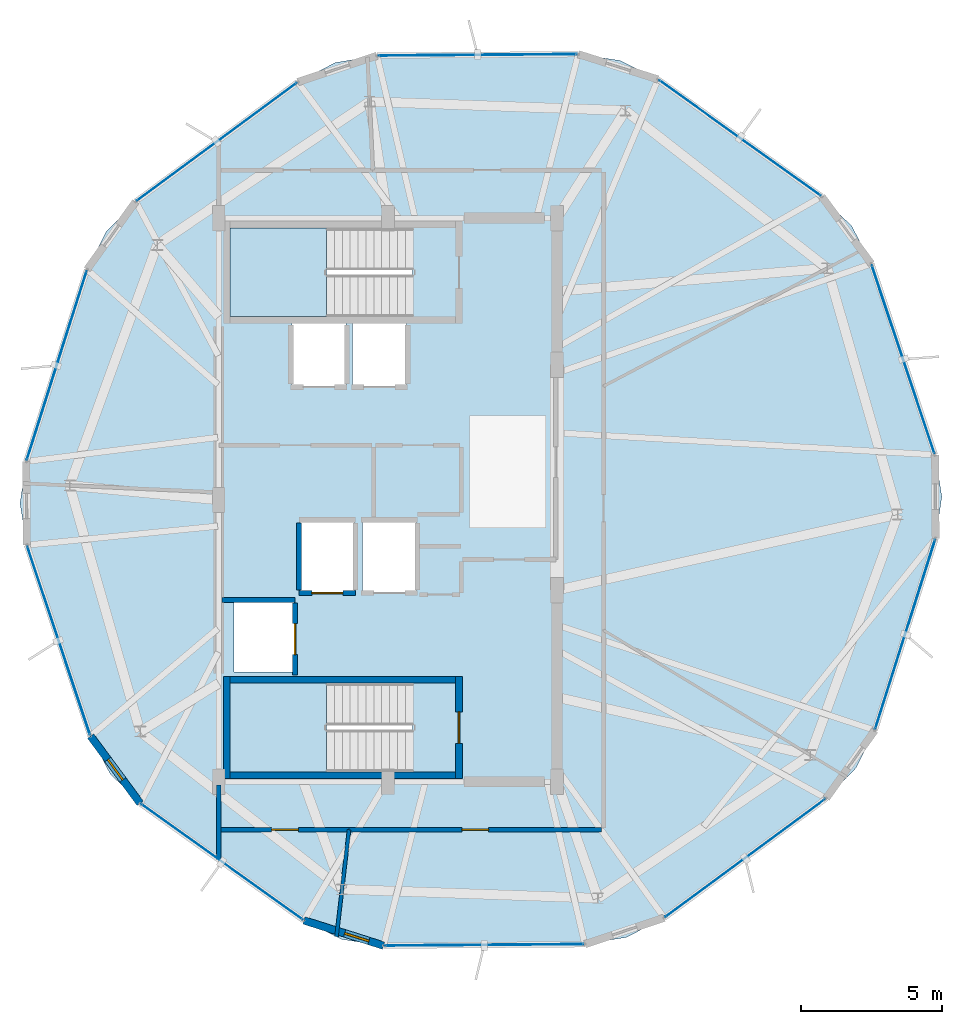
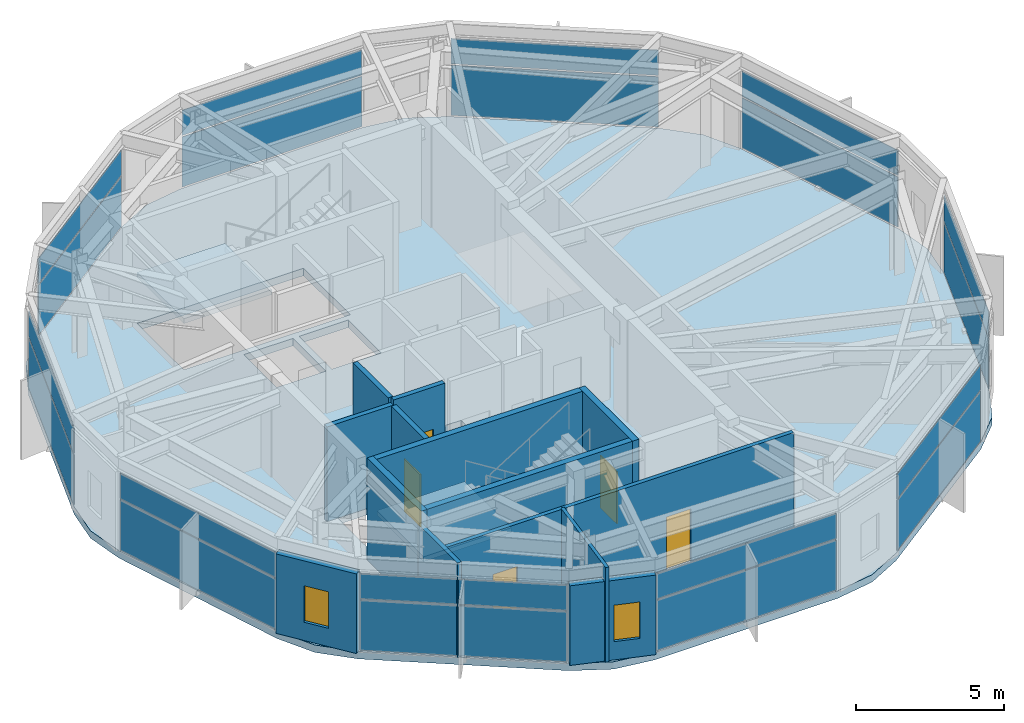
# One storey, part 17 of 22: 20 plates, 14 walls, 5 doors, 3 slabs, 2 windows, 7 openings, 12 elements without a shape of their own.
"""IFC4 building model written with IfcOpenShell, lengths in metres."""

import ifcopenshell
import ifcopenshell.guid

model = None  # the IFC model being written
_history = None  # IfcOwnerHistory: only IFC2X3 demands one
_inside = {}  # id of a spatial element -> (the spatial element, [elements in it])
_under = {}  # id of a project, library or spatial element -> (it, [spatial elements below it])
_declared = {}  # id of a project -> (the project, [libraries it declares])
_typed = {}  # id of a type object -> (the type object, [elements of that type])
_made_of = {}  # id of a material, layer set ... -> (it, [elements and type objects made of it])


def new_model(schema):
    """Start an empty IFC model of exactly this schema.

    Asked for "IFC4X3", IfcOpenShell would pick the latest addendum, in which some entities
    have other attributes; the version numbers below select the first issue.
    IFC2X3 requires an IfcOwnerHistory on every rooted entity: one is made here for all.
    """
    global model, _history
    if schema == "IFC4X3":
        model = ifcopenshell.file(schema_version=(4, 3, 0, 0))
    else:
        model = ifcopenshell.file(schema=schema)
    _inside.clear()
    _under.clear()
    _declared.clear()
    _typed.clear()
    _made_of.clear()
    _history = None
    if model.schema == "IFC2X3":
        org = make("IfcOrganization", Name="unknown")
        user = make(
            "IfcPersonAndOrganization",
            ThePerson=make("IfcPerson", FamilyName="unknown"),
            TheOrganization=org,
        )
        app = make(
            "IfcApplication",
            ApplicationDeveloper=org,
            Version="unknown",
            ApplicationFullName="unknown",
            ApplicationIdentifier="unknown",
        )
        _history = make(
            "IfcOwnerHistory",
            OwningUser=user,
            OwningApplication=app,
            ChangeAction="ADDED",
            CreationDate=0,
        )
    return model


def make(cls, **values):
    """One entity of the class cls with the attributes given. An attribute that is None is left unset."""
    return model.create_entity(
        cls, **{name: value for name, value in values.items() if value is not None}
    )


def rooted(cls, **values):
    """An entity with a GlobalId (a new one), such as an element, a storey or a relation."""
    return make(cls, GlobalId=ifcopenshell.guid.new(), OwnerHistory=_history, **values)


def si_unit(unit_type, name, prefix=None):
    """IfcSIUnit, for example si_unit("LENGTHUNIT", "METRE", prefix="MILLI")."""
    return make("IfcSIUnit", UnitType=unit_type, Prefix=prefix, Name=name)


def assignment(units):
    """IfcUnitAssignment: the units of a project."""
    return None if units is None else make("IfcUnitAssignment", Units=units)


def point(xyz):
    """IfcCartesianPoint."""
    return None if xyz is None else make("IfcCartesianPoint", Coordinates=xyz)


def direction(xyz):
    """IfcDirection."""
    return None if xyz is None else make("IfcDirection", DirectionRatios=xyz)


def frame(location, z_axis=None, x_axis=None):
    """IfcAxis2Placement3D, a coordinate frame: its origin and axes. An axis left out is left unset."""
    return make(
        "IfcAxis2Placement3D",
        Location=point(location),
        Axis=direction(z_axis),
        RefDirection=direction(x_axis),
    )


def frame_2d(location, x_axis=None):
    """IfcAxis2Placement2D, a coordinate frame in the plane: its origin and x axis."""
    return make(
        "IfcAxis2Placement2D", Location=point(location), RefDirection=direction(x_axis)
    )


def origin():
    """The frame at (0, 0, 0) with its axes left unset."""
    return frame((0.0, 0.0, 0.0))


def origin_2d():
    """The frame at (0, 0) in the plane with its x axis left unset."""
    return frame_2d((0.0, 0.0))


def place(relative_to, where):
    """IfcLocalPlacement: puts the frame where relative to a parent placement (None: the world)."""
    return make(
        "IfcLocalPlacement", PlacementRelTo=relative_to, RelativePlacement=where
    )


def context(
    kind, dimensions, precision=None, world=None, true_north=None, identifier=None
):
    """IfcGeometricRepresentationContext, for example the 3D "Model" context."""
    return make(
        "IfcGeometricRepresentationContext",
        ContextIdentifier=identifier,
        ContextType=kind,
        CoordinateSpaceDimension=dimensions,
        Precision=precision,
        WorldCoordinateSystem=world,
        TrueNorth=true_north,
    )


def subcontext(parent, identifier, kind, view, scale=None):
    """IfcGeometricRepresentationSubContext, for example "Body" below "Model"."""
    return make(
        "IfcGeometricRepresentationSubContext",
        ContextIdentifier=identifier,
        ContextType=kind,
        ParentContext=parent,
        TargetScale=scale,
        TargetView=view,
    )


def project(units=None, contexts=None):
    """IfcProject with its units and contexts."""
    return rooted(
        "IfcProject",
        Name="project",
        RepresentationContexts=contexts,
        UnitsInContext=assignment(units),
    )


def spatial(cls, under=None, at=None, **own):
    """A site, building, storey or space (cls), placed at a placement, below another one or the project."""
    s = rooted(cls, ObjectPlacement=at, **own)
    if under is not None:
        _under.setdefault(under.id(), (under, []))[1].append(s)
    return s


def polyline(points):
    """IfcPolyline through the points."""
    return make("IfcPolyline", Points=[point(p) for p in points])


def profile(cls, at=None, kind="AREA", **sizes):
    """A parametric profile (cls). Its sizes go by their IFC names, for example OverallWidth=200.0."""
    return make(cls, ProfileType=kind, Position=at, **sizes)


def rectangle(**sizes):
    """IfcRectangleProfileDef."""
    return profile("IfcRectangleProfileDef", **sizes)


def outline(outer, holes=None, kind="AREA"):
    """IfcArbitraryClosedProfileDef: a profile drawn as a closed curve; with holes, ...WithVoids."""
    if holes is None:
        return make("IfcArbitraryClosedProfileDef", ProfileType=kind, OuterCurve=outer)
    return make(
        "IfcArbitraryProfileDefWithVoids",
        ProfileType=kind,
        OuterCurve=outer,
        InnerCurves=holes,
    )


def extrude(swept, where, along, depth):
    """IfcExtrudedAreaSolid: the profile swept, set in the frame where, extruded along a direction by depth."""
    return make(
        "IfcExtrudedAreaSolid",
        SweptArea=swept,
        Position=where,
        ExtrudedDirection=direction(along),
        Depth=depth,
    )


def shape(context_of_items, identifier, shape_type, items):
    """IfcShapeRepresentation: the items that make up one representation, for example the "Body"."""
    return make(
        "IfcShapeRepresentation",
        ContextOfItems=context_of_items,
        RepresentationIdentifier=identifier,
        RepresentationType=shape_type,
        Items=items,
    )


def material(Name=None, Category=None):
    """IfcMaterial."""
    return make("IfcMaterial", Name=Name, Category=Category)


def layer(
    of_material, thickness, ventilated=None, Name=None, Category=None, Priority=None
):
    """IfcMaterialLayer: one layer of a wall or slab, of a material (None: an air gap)."""
    return make(
        "IfcMaterialLayer",
        Material=of_material,
        LayerThickness=thickness,
        IsVentilated=ventilated,
        Name=Name,
        Category=Category,
        Priority=Priority,
    )


def layer_set(layers, Name=None):
    """IfcMaterialLayerSet."""
    return make("IfcMaterialLayerSet", MaterialLayers=layers, LayerSetName=Name)


def made_of(thing, what):
    """Note that an element or type object is made of a material, layer set ...; save() writes the relation."""
    if what is not None:
        _made_of.setdefault(what.id(), (what, []))[1].append(thing)
    return thing


def type_object(cls, material=None, **own):
    """A type object (cls), such as IfcWallType, which elements share."""
    return made_of(rooted(cls, **own), material)


def element(
    cls,
    number,
    at=None,
    inside=None,
    cuts=None,
    type_object=None,
    material=None,
    context=None,
    identifier="Body",
    shape_type=None,
    held_by="IfcProductDefinitionShape",
    body=None,
    shapes=None,
    **own,
):
    """One element of the class cls, such as IfcWall. Its Tag is "e" and its number.

    at: its placement. inside: the storey or other place that contains it. cuts: it is an
    opening in that element (IfcRelVoidsElement). A single representation is given by context,
    identifier, shape_type and body (its items); several are given by shapes. held_by: the class
    of the entity that holds the representations. save() writes the other relations.
    """
    e = rooted(cls, Tag="e%d" % number, ObjectPlacement=at, **own)
    if body is not None:
        shapes = [shape(context, identifier, shape_type, body)]
    if shapes is not None:
        e.Representation = make(held_by, Representations=shapes)
    if inside is not None:
        _inside.setdefault(inside.id(), (inside, []))[1].append(e)
    if cuts is not None:
        rooted(
            "IfcRelVoidsElement", RelatingBuildingElement=cuts, RelatedOpeningElement=e
        )
    if type_object is not None:
        _typed.setdefault(type_object.id(), (type_object, []))[1].append(e)
    return made_of(e, material)


def fill(opening, filler):
    """IfcRelFillsElement: the door or window that sits in an opening."""
    return rooted(
        "IfcRelFillsElement",
        RelatingOpeningElement=opening,
        RelatedBuildingElement=filler,
    )


def aggregate(whole, parts):
    """IfcRelAggregates: a whole, such as a stair, and the parts it consists of."""
    return rooted("IfcRelAggregates", RelatingObject=whole, RelatedObjects=parts)


def save(model, path):
    """Write the relations noted so far, then the file.

    IfcRelAggregates (storeys below a building ...), IfcRelContainedInSpatialStructure (elements
    in a storey), IfcRelDefinesByType, IfcRelAssociatesMaterial and IfcRelDeclares: one each for
    every whole, place, type object, material and project.
    """
    for whole, parts in _under.values():
        aggregate(whole, parts)
    for where, things in _inside.values():
        rooted(
            "IfcRelContainedInSpatialStructure",
            RelatedElements=things,
            RelatingStructure=where,
        )
    for kind, things in _typed.values():
        rooted("IfcRelDefinesByType", RelatedObjects=things, RelatingType=kind)
    for what, things in _made_of.values():
        rooted("IfcRelAssociatesMaterial", RelatedObjects=things, RelatingMaterial=what)
    for by, libraries in _declared.values():
        rooted("IfcRelDeclares", RelatingContext=by, RelatedDefinitions=libraries)
    model.write(path)


model = new_model("IFC4")

# Units and contexts
model_context = context("Model", 3, precision=1e-05, world=origin(), true_north=direction((0.0, 1.0)))
body_context = subcontext(model_context, "Body", "Model", "MODEL_VIEW")
ifc_project = project(units=[si_unit("LENGTHUNIT", "METRE"), si_unit("AREAUNIT", "SQUARE_METRE"), si_unit("VOLUMEUNIT", "CUBIC_METRE"), si_unit("PLANEANGLEUNIT", "RADIAN"), si_unit("MASSUNIT", "GRAM", prefix="KILO")], contexts=[model_context])

# Site, building, storey
site_placement = place(None, origin())
site = spatial("IfcSite", under=ifc_project, at=site_placement, CompositionType="ELEMENT")
building_placement = place(site_placement, origin())
building = spatial("IfcBuilding", under=site, at=building_placement, Name="Soratama Intermodal Tower", CompositionType="ELEMENT")
storey_placement = place(building_placement, frame((0.0, 0.0, 301.449951171875)))
storey = spatial("IfcBuildingStorey", under=building, at=storey_placement, Name="L76", CompositionType="ELEMENT", Elevation=301.449951171875)

# Curtain wall, plates
ifc_material_1 = material(Name="Double-glazed aluminium curtain wall", Category="aluminium")
ifc_layer_1 = layer(ifc_material_1, 0.159912109375)
ifc_layer_set_1 = layer_set([ifc_layer_1], Name="Double-glazed aluminium curtain wall")
curtain_wall_type = type_object("IfcCurtainWallType", Name="CW-SYS-6", PredefinedType="NOTDEFINED", material=ifc_layer_set_1)
curtain_wall_1_placement = place(storey_placement, origin())
curtain_wall_1 = element("IfcCurtainWall", 1, at=curtain_wall_1_placement, inside=storey, type_object=curtain_wall_type, Name="L76 Faceted Curtain Wall F01", PredefinedType="NOTDEFINED")
ifc_material_2 = material(Name="Low-E laminated double glazing", Category="glass")
ifc_layer_2 = layer(ifc_material_2, 0.01806640625)
ifc_layer_set_2 = layer_set([ifc_layer_2], Name="Low-E laminated double glazing")
plate_type = type_object("IfcPlateType", Name="PT-CWP-6", PredefinedType="CURTAIN_PANEL", material=ifc_layer_set_2)
plate_1_placement = place(storey_placement, frame((41.7841796875, 40.787109375, 0.06005859375), z_axis=(0.0, 0.0, 1.0), x_axis=(-0.999973070346, -0.007338840732, 0.0)))
plate_1 = element("IfcPlate", 2, at=plate_1_placement, type_object=plate_type, Name="CW-6 panel 1.1", PredefinedType="CURTAIN_PANEL", context=body_context, shape_type="SweptSolid", body=[
    extrude(rectangle(XDim=7.02001953125, YDim=0.028076171875, at=origin_2d()), origin(), (0.0, 0.0, 1.0), 2.06005859375),
])
plate_2_placement = place(storey_placement, frame((41.7841796875, 40.787109375, 2.18017578125), z_axis=(0.0, 0.0, 1.0), x_axis=(-0.999973070346, -0.007338840732, 0.0)))
plate_2 = element("IfcPlate", 3, at=plate_2_placement, type_object=plate_type, Name="CW-6 panel 1.2", PredefinedType="CURTAIN_PANEL", context=body_context, shape_type="SweptSolid", body=[
    extrude(rectangle(XDim=7.02001953125, YDim=0.028076171875, at=origin_2d()), origin(), (0.0, 0.0, 1.0), 1.033935546875),
])
aggregate(curtain_wall_1, [plate_1, plate_2])

curtain_wall_2_placement = place(storey_placement, origin())
curtain_wall_2 = element("IfcCurtainWall", 4, at=curtain_wall_2_placement, inside=storey, type_object=curtain_wall_type, Name="L76 Faceted Curtain Wall F02", PredefinedType="NOTDEFINED")
plate_3_placement = place(storey_placement, frame((32.52685546875, 37.7041015625, 0.06005859375), z_axis=(0.0, 0.0, 1.0), x_axis=(-0.804682887101, -0.593704851931, 0.0)))
plate_3 = element("IfcPlate", 5, at=plate_3_placement, type_object=plate_type, Name="CW-6 panel 1.1", PredefinedType="CURTAIN_PANEL", context=body_context, shape_type="SweptSolid", body=[
    extrude(rectangle(XDim=7.02001953125, YDim=0.028076171875, at=origin_2d()), origin(), (0.0, 0.0, 1.0), 2.06005859375),
])
plate_4_placement = place(storey_placement, frame((32.52685546875, 37.7041015625, 2.18017578125), z_axis=(0.0, 0.0, 1.0), x_axis=(-0.804682887101, -0.593704851931, 0.0)))
plate_4 = element("IfcPlate", 6, at=plate_4_placement, type_object=plate_type, Name="CW-6 panel 1.2", PredefinedType="CURTAIN_PANEL", context=body_context, shape_type="SweptSolid", body=[
    extrude(rectangle(XDim=7.02001953125, YDim=0.028076171875, at=origin_2d()), origin(), (0.0, 0.0, 1.0), 1.033935546875),
])
aggregate(curtain_wall_2, [plate_3, plate_4])

curtain_wall_3_placement = place(storey_placement, origin())
curtain_wall_3 = element("IfcCurtainWall", 7, at=curtain_wall_3_placement, inside=storey, type_object=curtain_wall_type, Name="L76 Faceted Curtain Wall F03", PredefinedType="NOTDEFINED")
plate_5_placement = place(storey_placement, frame((26.849853515625, 29.7685546875, 0.06005859375), z_axis=(0.0, 0.0, 1.0), x_axis=(-0.302037446393, -0.953296061555, 0.0)))
plate_5 = element("IfcPlate", 8, at=plate_5_placement, type_object=plate_type, Name="CW-6 panel 1.1", PredefinedType="CURTAIN_PANEL", context=body_context, shape_type="SweptSolid", body=[
    extrude(rectangle(XDim=7.020263671875, YDim=0.028076171875, at=origin_2d()), origin(), (0.0, 0.0, 1.0), 2.06005859375),
])
plate_6_placement = place(storey_placement, frame((26.849853515625, 29.7685546875, 2.18017578125), z_axis=(0.0, 0.0, 1.0), x_axis=(-0.302037446393, -0.953296061555, 0.0)))
plate_6 = element("IfcPlate", 9, at=plate_6_placement, type_object=plate_type, Name="CW-6 panel 1.2", PredefinedType="CURTAIN_PANEL", context=body_context, shape_type="SweptSolid", body=[
    extrude(rectangle(XDim=7.020263671875, YDim=0.028076171875, at=origin_2d()), origin(), (0.0, 0.0, 1.0), 1.033935546875),
])
aggregate(curtain_wall_3, [plate_5, plate_6])

curtain_wall_4_placement = place(storey_placement, origin())
curtain_wall_4 = element("IfcCurtainWall", 10, at=curtain_wall_4_placement, inside=storey, type_object=curtain_wall_type, Name="L76 Faceted Curtain Wall F04", PredefinedType="NOTDEFINED")
plate_7_placement = place(storey_placement, frame((26.92138671875, 20.011474609375, 0.06005859375), z_axis=(0.0, 0.0, 1.0), x_axis=(0.315975657791, -0.948767296909, 0.0)))
plate_7 = element("IfcPlate", 11, at=plate_7_placement, type_object=plate_type, Name="CW-6 panel 1.1", PredefinedType="CURTAIN_PANEL", context=body_context, shape_type="SweptSolid", body=[
    extrude(rectangle(XDim=7.02001953125, YDim=0.028076171875, at=origin_2d()), origin(), (0.0, 0.0, 1.0), 2.06005859375),
])
plate_8_placement = place(storey_placement, frame((26.92138671875, 20.011474609375, 2.18017578125), z_axis=(0.0, 0.0, 1.0), x_axis=(0.315975657791, -0.948767296909, 0.0)))
plate_8 = element("IfcPlate", 12, at=plate_8_placement, type_object=plate_type, Name="CW-6 panel 1.2", PredefinedType="CURTAIN_PANEL", context=body_context, shape_type="SweptSolid", body=[
    extrude(rectangle(XDim=7.02001953125, YDim=0.028076171875, at=origin_2d()), origin(), (0.0, 0.0, 1.0), 1.033935546875),
])
aggregate(curtain_wall_4, [plate_7, plate_8])

curtain_wall_5_placement = place(storey_placement, origin())
curtain_wall_5 = element("IfcCurtainWall", 13, at=curtain_wall_5_placement, inside=storey, type_object=curtain_wall_type, Name="L76 Faceted Curtain Wall F05", PredefinedType="NOTDEFINED")
plate_9_placement = place(storey_placement, frame((32.714111328125, 12.159912109375, 0.06005859375), z_axis=(0.0, 0.0, 1.0), x_axis=(0.813304572689, -0.581838183727, 0.0)))
plate_9 = element("IfcPlate", 14, at=plate_9_placement, type_object=plate_type, Name="CW-6 panel 1.1", PredefinedType="CURTAIN_PANEL", context=body_context, shape_type="SweptSolid", body=[
    extrude(rectangle(XDim=7.02001953125, YDim=0.028076171875, at=origin_2d()), origin(), (0.0, 0.0, 1.0), 2.06005859375),
])
plate_10_placement = place(storey_placement, frame((32.714111328125, 12.159912109375, 2.18017578125), z_axis=(0.0, 0.0, 1.0), x_axis=(0.813304572689, -0.581838183727, 0.0)))
plate_10 = element("IfcPlate", 15, at=plate_10_placement, type_object=plate_type, Name="CW-6 panel 1.2", PredefinedType="CURTAIN_PANEL", context=body_context, shape_type="SweptSolid", body=[
    extrude(rectangle(XDim=7.02001953125, YDim=0.028076171875, at=origin_2d()), origin(), (0.0, 0.0, 1.0), 1.033935546875),
])
aggregate(curtain_wall_5, [plate_9, plate_10])

curtain_wall_6_placement = place(storey_placement, origin())
curtain_wall_6 = element("IfcCurtainWall", 16, at=curtain_wall_6_placement, inside=storey, type_object=curtain_wall_type, Name="L76 Faceted Curtain Wall F06", PredefinedType="NOTDEFINED")
plate_11_placement = place(storey_placement, frame((42.015869140625, 9.212890625, 0.06005859375), z_axis=(0.0, 0.0, 1.0), x_axis=(0.999973070346, 0.007338840732, 0.0)))
plate_11 = element("IfcPlate", 17, at=plate_11_placement, type_object=plate_type, Name="CW-6 panel 1.1", PredefinedType="CURTAIN_PANEL", context=body_context, shape_type="SweptSolid", body=[
    extrude(rectangle(XDim=7.02001953125, YDim=0.028076171875, at=origin_2d()), origin(), (0.0, 0.0, 1.0), 2.06005859375),
])
plate_12_placement = place(storey_placement, frame((42.015869140625, 9.212890625, 2.18017578125), z_axis=(0.0, 0.0, 1.0), x_axis=(0.999973070346, 0.007338840732, 0.0)))
plate_12 = element("IfcPlate", 18, at=plate_12_placement, type_object=plate_type, Name="CW-6 panel 1.2", PredefinedType="CURTAIN_PANEL", context=body_context, shape_type="SweptSolid", body=[
    extrude(rectangle(XDim=7.02001953125, YDim=0.028076171875, at=origin_2d()), origin(), (0.0, 0.0, 1.0), 1.033935546875),
])
aggregate(curtain_wall_6, [plate_11, plate_12])

curtain_wall_7_placement = place(storey_placement, origin())
curtain_wall_7 = element("IfcCurtainWall", 19, at=curtain_wall_7_placement, inside=storey, type_object=curtain_wall_type, Name="L76 Faceted Curtain Wall F07", PredefinedType="NOTDEFINED")
plate_13_placement = place(storey_placement, frame((51.27294921875, 12.2958984375, 0.06005859375), z_axis=(0.0, 0.0, 1.0), x_axis=(0.804682887101, 0.593704851931, 0.0)))
plate_13 = element("IfcPlate", 20, at=plate_13_placement, type_object=plate_type, Name="CW-6 panel 1.1", PredefinedType="CURTAIN_PANEL", context=body_context, shape_type="SweptSolid", body=[
    extrude(rectangle(XDim=7.02001953125, YDim=0.028076171875, at=origin_2d()), origin(), (0.0, 0.0, 1.0), 2.06005859375),
])
plate_14_placement = place(storey_placement, frame((51.27294921875, 12.2958984375, 2.18017578125), z_axis=(0.0, 0.0, 1.0), x_axis=(0.804682887101, 0.593704851931, 0.0)))
plate_14 = element("IfcPlate", 21, at=plate_14_placement, type_object=plate_type, Name="CW-6 panel 1.2", PredefinedType="CURTAIN_PANEL", context=body_context, shape_type="SweptSolid", body=[
    extrude(rectangle(XDim=7.02001953125, YDim=0.028076171875, at=origin_2d()), origin(), (0.0, 0.0, 1.0), 1.033935546875),
])
aggregate(curtain_wall_7, [plate_13, plate_14])

curtain_wall_8_placement = place(storey_placement, origin())
curtain_wall_8 = element("IfcCurtainWall", 22, at=curtain_wall_8_placement, inside=storey, type_object=curtain_wall_type, Name="L76 Faceted Curtain Wall F08", PredefinedType="NOTDEFINED")
plate_15_placement = place(storey_placement, frame((56.9501953125, 20.2314453125, 0.06005859375), z_axis=(0.0, 0.0, 1.0), x_axis=(0.302037446393, 0.953296061555, 0.0)))
plate_15 = element("IfcPlate", 23, at=plate_15_placement, type_object=plate_type, Name="CW-6 panel 1.1", PredefinedType="CURTAIN_PANEL", context=body_context, shape_type="SweptSolid", body=[
    extrude(rectangle(XDim=7.020263671875, YDim=0.028076171875, at=origin_2d()), origin(), (0.0, 0.0, 1.0), 2.06005859375),
])
plate_16_placement = place(storey_placement, frame((56.9501953125, 20.2314453125, 2.18017578125), z_axis=(0.0, 0.0, 1.0), x_axis=(0.302037446393, 0.953296061555, 0.0)))
plate_16 = element("IfcPlate", 24, at=plate_16_placement, type_object=plate_type, Name="CW-6 panel 1.2", PredefinedType="CURTAIN_PANEL", context=body_context, shape_type="SweptSolid", body=[
    extrude(rectangle(XDim=7.020263671875, YDim=0.028076171875, at=origin_2d()), origin(), (0.0, 0.0, 1.0), 1.033935546875),
])
aggregate(curtain_wall_8, [plate_15, plate_16])

curtain_wall_9_placement = place(storey_placement, origin())
curtain_wall_9 = element("IfcCurtainWall", 25, at=curtain_wall_9_placement, inside=storey, type_object=curtain_wall_type, Name="L76 Faceted Curtain Wall F09", PredefinedType="NOTDEFINED")
plate_17_placement = place(storey_placement, frame((56.878662109375, 29.988525390625, 0.06005859375), z_axis=(0.0, 0.0, 1.0), x_axis=(-0.315975657791, 0.948767296909, 0.0)))
plate_17 = element("IfcPlate", 26, at=plate_17_placement, type_object=plate_type, Name="CW-6 panel 1.1", PredefinedType="CURTAIN_PANEL", context=body_context, shape_type="SweptSolid", body=[
    extrude(rectangle(XDim=7.02001953125, YDim=0.028076171875, at=origin_2d()), origin(), (0.0, 0.0, 1.0), 2.06005859375),
])
plate_18_placement = place(storey_placement, frame((56.878662109375, 29.988525390625, 2.18017578125), z_axis=(0.0, 0.0, 1.0), x_axis=(-0.315975657791, 0.948767296909, 0.0)))
plate_18 = element("IfcPlate", 27, at=plate_18_placement, type_object=plate_type, Name="CW-6 panel 1.2", PredefinedType="CURTAIN_PANEL", context=body_context, shape_type="SweptSolid", body=[
    extrude(rectangle(XDim=7.02001953125, YDim=0.028076171875, at=origin_2d()), origin(), (0.0, 0.0, 1.0), 1.033935546875),
])
aggregate(curtain_wall_9, [plate_17, plate_18])

curtain_wall_10_placement = place(storey_placement, origin())
curtain_wall_10 = element("IfcCurtainWall", 28, at=curtain_wall_10_placement, inside=storey, type_object=curtain_wall_type, Name="L76 Faceted Curtain Wall F10", PredefinedType="NOTDEFINED")
plate_19_placement = place(storey_placement, frame((51.0859375, 37.840087890625, 0.06005859375), z_axis=(0.0, 0.0, 1.0), x_axis=(-0.813304572689, 0.581838183727, 0.0)))
plate_19 = element("IfcPlate", 29, at=plate_19_placement, type_object=plate_type, Name="CW-6 panel 1.1", PredefinedType="CURTAIN_PANEL", context=body_context, shape_type="SweptSolid", body=[
    extrude(rectangle(XDim=7.02001953125, YDim=0.028076171875, at=origin_2d()), origin(), (0.0, 0.0, 1.0), 2.06005859375),
])
plate_20_placement = place(storey_placement, frame((51.0859375, 37.840087890625, 2.18017578125), z_axis=(0.0, 0.0, 1.0), x_axis=(-0.813304572689, 0.581838183727, 0.0)))
plate_20 = element("IfcPlate", 30, at=plate_20_placement, type_object=plate_type, Name="CW-6 panel 1.2", PredefinedType="CURTAIN_PANEL", context=body_context, shape_type="SweptSolid", body=[
    extrude(rectangle(XDim=7.02001953125, YDim=0.028076171875, at=origin_2d()), origin(), (0.0, 0.0, 1.0), 1.033935546875),
])
aggregate(curtain_wall_10, [plate_19, plate_20])

# Slab
ifc_material_3 = material(Name="Concrete f'c 42 MPa", Category="concrete")
ifc_layer_3 = layer(ifc_material_3, 0.260009765625)
ifc_layer_set_3 = layer_set([ifc_layer_3], Name="Concrete f'c 42 MPa")
slab_type_1 = type_object("IfcSlabType", Name="SL-CRN-260", PredefinedType="FLOOR", material=ifc_layer_set_3)
slab_1_placement = place(storey_placement, frame((0.0, 0.0, -0.304931640625)))
element("IfcSlab", 31, at=slab_1_placement, inside=storey, type_object=slab_type_1, Name="L76 Structural Floor Slab", PredefinedType="FLOOR", context=body_context, shape_type="SweptSolid", body=[
    extrude(outline(polyline([(48.182373046875, 39.917236328125), (46.839111328125, 40.589111328125), (45.354248046875, 40.813232421875), (38.21435546875, 40.760986328125), (36.73291015625, 40.51513671875), (35.399658203125, 39.823486328125), (29.654296875, 35.58447265625), (28.60009765625, 34.514892578125), (27.927978515625, 33.171875), (25.771484375, 26.364990234375), (25.547607421875, 24.880126953125), (25.793212890625, 23.398681640625), (28.04931640625, 16.624267578125), (28.740966796875, 15.291259765625), (29.810546875, 14.237060546875), (35.61767578125, 10.082763671875), (36.960693359375, 9.410888671875), (38.44580078125, 9.186767578125), (45.585693359375, 9.239013671875), (47.067138671875, 9.48486328125), (48.400390625, 10.176513671875), (54.145751953125, 14.41552734375), (55.199951171875, 15.485107421875), (55.871826171875, 16.828125), (58.028564453125, 23.635009765625), (58.25244140625, 25.119873046875), (58.006591796875, 26.601318359375), (55.75048828125, 33.375732421875), (55.05908203125, 34.708740234375), (53.989501953125, 35.762939453125), (48.182373046875, 39.917236328125)]), holes=[polyline([(33.0, 15.35009765625), (39.47509765625, 15.35009765625), (39.47509765625, 18.5), (33.0, 18.5), (33.0, 15.35009765625)]), polyline([(35.260009765625, 21.409912109375), (33.139892578125, 21.409912109375), (33.139892578125, 18.889892578125), (35.260009765625, 18.889892578125), (35.260009765625, 21.409912109375)]), polyline([(37.409912109375, 24.260009765625), (35.489990234375, 24.260009765625), (35.489990234375, 21.739990234375), (37.409912109375, 21.739990234375), (37.409912109375, 24.260009765625)]), polyline([(39.610107421875, 24.260009765625), (37.68994140625, 24.260009765625), (37.68994140625, 21.739990234375), (39.610107421875, 21.739990234375), (39.610107421875, 24.260009765625)]), polyline([(37.110107421875, 31.260009765625), (35.18994140625, 31.260009765625), (35.18994140625, 29.0400390625), (37.110107421875, 29.0400390625), (37.110107421875, 31.260009765625)]), polyline([(39.260009765625, 31.260009765625), (37.340087890625, 31.260009765625), (37.340087890625, 29.0400390625), (39.260009765625, 29.0400390625), (39.260009765625, 31.260009765625)]), polyline([(33.0, 34.64990234375), (33.0, 31.5), (39.47509765625, 31.5), (39.47509765625, 34.64990234375), (33.0, 34.64990234375)])]), origin(), (0.0, 0.0, 1.0), 0.304931640625),
])

# Stair, slab
ifc_material_4 = material(Name="Concrete f'c 42 MPa", Category="concrete")
stair_type = type_object("IfcStairType", Name="ST-CORE-DOGLEG", PredefinedType="HALF_TURN_STAIR", material=ifc_material_4)
stair_1_placement = place(storey_placement, origin())
stair_1 = element("IfcStair", 32, at=stair_1_placement, inside=storey, type_object=stair_type, Name="L76 ST-1", PredefinedType="HALF_TURN_STAIR")
ifc_material_5 = material(Name="Concrete f'c 42 MPa", Category="concrete")
ifc_layer_4 = layer(ifc_material_5, 0.219970703125)
ifc_layer_set_4 = layer_set([ifc_layer_4], Name="Concrete f'c 42 MPa")
slab_type_2 = type_object("IfcSlabType", Name="SL-STAIR-LAND", PredefinedType="LANDING", material=ifc_layer_set_4)
slab_2_placement = place(storey_placement, frame((0.0, 0.0, 1.900146484375)))
slab_2 = element("IfcSlab", 33, at=slab_2_placement, type_object=slab_type_2, Name="ST-1 landing 1", PredefinedType="LANDING", context=body_context, shape_type="SweptSolid", body=[
    extrude(outline(polyline([(36.419921875, 18.5), (33.0, 18.5), (33.0, 15.35009765625), (36.419921875, 15.35009765625), (36.419921875, 18.5)])), origin(), (0.0, 0.0, 1.0), 0.199951171875),
])
aggregate(stair_1, [slab_2])

stair_2_placement = place(storey_placement, origin())
stair_2 = element("IfcStair", 34, at=stair_2_placement, inside=storey, type_object=stair_type, Name="L76 ST-2", PredefinedType="HALF_TURN_STAIR")
slab_3_placement = place(storey_placement, frame((0.0, 0.0, 1.900146484375)))
slab_3 = element("IfcSlab", 35, at=slab_3_placement, type_object=slab_type_2, Name="ST-2 landing 1", PredefinedType="LANDING", context=body_context, shape_type="SweptSolid", body=[
    extrude(outline(polyline([(36.419921875, 34.64990234375), (33.0, 34.64990234375), (33.0, 31.5), (36.419921875, 31.5), (36.419921875, 34.64990234375)])), origin(), (0.0, 0.0, 1.0), 0.199951171875),
])
aggregate(stair_2, [slab_3])

# Wall, opening, window
ifc_material_6 = material(Name="Concrete f'c 42 MPa", Category="concrete")
ifc_layer_5 = layer(ifc_material_6, 0.27001953125)
ifc_layer_set_5 = layer_set([ifc_layer_5], Name="Concrete f'c 42 MPa")
wall_type_1 = type_object("IfcWallType", Name="EW-CRN-270", PredefinedType="SOLIDWALL", material=ifc_layer_set_5)
wall_1_placement = place(storey_placement, frame((28.04931640625, 16.624267578125, 0.0), z_axis=(0.0, 0.0, 1.0), x_axis=(0.593687389238, -0.804695770997, 0.0)))
wall_1 = element("IfcWall", 36, at=wall_1_placement, inside=storey, type_object=wall_type_1, Name="L76 Corner Closure Wall 04", PredefinedType="SOLIDWALL", context=body_context, shape_type="SweptSolid", body=[
    extrude(rectangle(XDim=2.966552734375, YDim=0.27001953125, at=frame_2d((1.4833984375, 0.0))), origin(), (0.0, 0.0, 1.0), 3.274169921875),
])
opening_1_placement = place(wall_1_placement, frame((1.033203125, 0.0, 0.75)))
opening_1 = element("IfcOpeningElement", 37, at=opening_1_placement, cuts=wall_1, Name="Opening WN-6", PredefinedType="OPENING", context=body_context, shape_type="SweptSolid", body=[
    extrude(rectangle(XDim=0.89990234375, YDim=1.5, at=frame_2d((0.449951171875, 0.75))), frame((0.0, 0.14501953125, 0.0), z_axis=(0.0, -1.0, 0.0), x_axis=(1.0, 0.0, 0.0)), (0.0, 0.0, 1.0), 0.2900390625),
])
ifc_material_7 = material(Name="Double-glazed aluminium window", Category="aluminium")
window_type = type_object("IfcWindowType", Name="WN-FAC-900", PartitioningType="SINGLE_PANEL", PredefinedType="WINDOW", material=ifc_material_7)
window_1_placement = place(opening_1_placement, origin())
window_1 = element("IfcWindow", 38, at=window_1_placement, inside=storey, type_object=window_type, Name="L76 Corner Window 04", OverallHeight=1.5, OverallWidth=0.89990234375, PartitioningType="SINGLE_PANEL", PredefinedType="WINDOW", context=body_context, shape_type="SweptSolid", body=[
    extrude(rectangle(XDim=0.89990234375, YDim=1.5, at=frame_2d((0.449951171875, 0.75))), frame((0.0, 0.030029296875, 0.0), z_axis=(0.0, -1.0, 0.0), x_axis=(1.0, 0.0, 0.0)), (0.0, 0.0, 1.0), 0.06005859375),
])
fill(opening_1, window_1)

wall_2_placement = place(storey_placement, frame((35.61767578125, 10.082763671875, 0.0), z_axis=(0.0, 0.0, 1.0), x_axis=(0.953301162706, -0.302021345574, 0.0)))
wall_2 = element("IfcWall", 39, at=wall_2_placement, inside=storey, type_object=wall_type_1, Name="L76 Corner Closure Wall 05", PredefinedType="SOLIDWALL", context=body_context, shape_type="SweptSolid", body=[
    extrude(rectangle(XDim=2.966552734375, YDim=0.27001953125, at=frame_2d((1.4833984375, 0.0))), origin(), (0.0, 0.0, 1.0), 3.274169921875),
])
opening_2_placement = place(wall_2_placement, frame((1.519287109375, 0.0, 0.75)))
opening_2 = element("IfcOpeningElement", 40, at=opening_2_placement, cuts=wall_2, Name="Opening WN-6", PredefinedType="OPENING", context=body_context, shape_type="SweptSolid", body=[
    extrude(rectangle(XDim=0.89990234375, YDim=1.5, at=frame_2d((0.449951171875, 0.75))), frame((0.0, 0.14501953125, 0.0), z_axis=(0.0, -1.0, 0.0), x_axis=(1.0, 0.0, 0.0)), (0.0, 0.0, 1.0), 0.2900390625),
])
window_2_placement = place(opening_2_placement, origin())
window_2 = element("IfcWindow", 41, at=window_2_placement, inside=storey, type_object=window_type, Name="L76 Corner Window 05", OverallHeight=1.5, OverallWidth=0.89990234375, PartitioningType="SINGLE_PANEL", PredefinedType="WINDOW", context=body_context, shape_type="SweptSolid", body=[
    extrude(rectangle(XDim=0.89990234375, YDim=1.5, at=frame_2d((0.449951171875, 0.75))), frame((0.0, 0.030029296875, 0.0), z_axis=(0.0, -1.0, 0.0), x_axis=(1.0, 0.0, 0.0)), (0.0, 0.0, 1.0), 0.06005859375),
])
fill(opening_2, window_2)

# Wall, opening, door
ifc_material_8 = material(Name="Fire-rated gypsum stud partition", Category="concrete")
ifc_layer_6 = layer(ifc_material_8, 0.159912109375)
ifc_layer_set_6 = layer_set([ifc_layer_6], Name="Fire-rated gypsum stud partition")
wall_type_2 = type_object("IfcWallType", Name="IW-PART-R160", PredefinedType="PARTITIONING", material=ifc_layer_set_6)
wall_3_placement = place(storey_placement, frame((46.179931640625, 13.300048828125, 0.0), z_axis=(0.0, 0.0, 1.0), x_axis=(-1.0, 0.0, 0.0)))
wall_3 = element("IfcWall", 42, at=wall_3_placement, inside=storey, type_object=wall_type_2, Name="L76 Partition W-L76-TP003", PredefinedType="PARTITIONING", context=body_context, shape_type="SweptSolid", body=[
    extrude(rectangle(XDim=8.958984375, YDim=0.159912109375, at=frame_2d((4.4794921875, 0.0))), origin(), (0.0, 0.0, 1.0), 3.89501953125),
])
opening_3_placement = place(wall_3_placement, frame((4.0048828125, 0.0, 0.0)))
opening_3 = element("IfcOpeningElement", 43, at=opening_3_placement, cuts=wall_3, Name="Opening ID-3", PredefinedType="OPENING", context=body_context, shape_type="SweptSolid", body=[
    extrude(rectangle(XDim=0.949951171875, YDim=2.14990234375, at=frame_2d((0.47509765625, 1.074951171875))), frame((0.0, 0.08984375, 0.0), z_axis=(0.0, -1.0, 0.0), x_axis=(1.0, 0.0, 0.0)), (0.0, 0.0, 1.0), 0.179931640625),
])
ifc_material_9 = material(Name="Solid hardwood acoustic door", Category="wood")
door_type_1 = type_object("IfcDoorType", Name="DR-ROOM-950", OperationType="NOTDEFINED", PredefinedType="DOOR", material=ifc_material_9)
door_1_placement = place(opening_3_placement, origin())
door_1 = element("IfcDoor", 44, at=door_1_placement, inside=storey, type_object=door_type_1, Name="L76 Door D-L76-TP001", OperationType="SINGLE_SWING_RIGHT", OverallHeight=2.14990234375, OverallWidth=0.949951171875, PredefinedType="DOOR", context=body_context, shape_type="SweptSolid", body=[
    extrude(rectangle(XDim=0.949951171875, YDim=2.14990234375, at=frame_2d((0.47509765625, 1.074951171875))), frame((0.0, 0.02490234375, 0.0), z_axis=(0.0, -1.0, 0.0), x_axis=(1.0, 0.0, 0.0)), (0.0, 0.0, 1.0), 0.050048828125),
])
fill(opening_3, door_1)

wall_4_placement = place(storey_placement, frame((37.220947265625, 13.300048828125, 0.0), z_axis=(0.0, 0.0, 1.0), x_axis=(-1.0, 0.0, 0.0)))
wall_4 = element("IfcWall", 45, at=wall_4_placement, inside=storey, type_object=wall_type_2, Name="L76 Partition W-L76-TP012", PredefinedType="PARTITIONING", context=body_context, shape_type="SweptSolid", body=[
    extrude(rectangle(XDim=4.551025390625, YDim=0.159912109375, at=frame_2d((2.275390625, 0.0))), origin(), (0.0, 0.0, 1.0), 3.89501953125),
])
opening_4_placement = place(wall_4_placement, frame((1.800048828125, 0.0, 0.0)))
opening_4 = element("IfcOpeningElement", 46, at=opening_4_placement, cuts=wall_4, Name="Opening ID-3", PredefinedType="OPENING", context=body_context, shape_type="SweptSolid", body=[
    extrude(rectangle(XDim=0.949951171875, YDim=2.14990234375, at=frame_2d((0.47509765625, 1.074951171875))), frame((0.0, 0.08984375, 0.0), z_axis=(0.0, -1.0, 0.0), x_axis=(1.0, 0.0, 0.0)), (0.0, 0.0, 1.0), 0.179931640625),
])
door_2_placement = place(opening_4_placement, origin())
door_2 = element("IfcDoor", 47, at=door_2_placement, inside=storey, type_object=door_type_1, Name="L76 Door D-L76-TP007", OperationType="SINGLE_SWING_RIGHT", OverallHeight=2.14990234375, OverallWidth=0.949951171875, PredefinedType="DOOR", context=body_context, shape_type="SweptSolid", body=[
    extrude(rectangle(XDim=0.949951171875, YDim=2.14990234375, at=frame_2d((0.47509765625, 1.074951171875))), frame((0.0, 0.02490234375, 0.0), z_axis=(0.0, -1.0, 0.0), x_axis=(1.0, 0.0, 0.0)), (0.0, 0.0, 1.0), 0.050048828125),
])
fill(opening_4, door_2)

# Walls
wall_5_placement = place(storey_placement, frame((32.60009765625, 12.241943359375, 0.0), z_axis=(0.0, 0.0, 1.0), x_axis=(0.0, 1.0, 0.0)))
element("IfcWall", 48, at=wall_5_placement, inside=storey, type_object=wall_type_2, Name="L76 Partition W-L76-TP018", PredefinedType="PARTITIONING", context=body_context, shape_type="SweptSolid", body=[
    extrude(rectangle(XDim=2.637939453125, YDim=0.159912109375, at=frame_2d((1.31884765625, 0.0))), origin(), (0.0, 0.0, 1.0), 3.89501953125),
])
ifc_material_10 = material(Name="Fire-rated gypsum stud partition", Category="concrete")
ifc_layer_7 = layer(ifc_material_10, 0.1298828125)
ifc_layer_set_7 = layer_set([ifc_layer_7], Name="Fire-rated gypsum stud partition")
wall_type_3 = type_object("IfcWallType", Name="IW-PART-S130", PredefinedType="PARTITIONING", material=ifc_layer_set_7)
wall_6_placement = place(storey_placement, frame((37.220947265625, 13.300048828125, 0.0), z_axis=(0.0, 0.0, 1.0), x_axis=(-0.116948716677, -0.993137955003, 0.0)))
element("IfcWall", 49, at=wall_6_placement, inside=storey, type_object=wall_type_3, Name="L76 Partition W-L76-TP014", PredefinedType="PARTITIONING", context=body_context, shape_type="SweptSolid", body=[
    extrude(rectangle(XDim=3.822265625, YDim=0.1298828125, at=frame_2d((1.9111328125, 0.0))), origin(), (0.0, 0.0, 1.0), 3.89501953125),
])

# Wall, opening, door
ifc_material_11 = material(Name="Concrete f'c 42 MPa", Category="concrete")
ifc_layer_8 = layer(ifc_material_11, 0.18505859375)
ifc_layer_set_8 = layer_set([ifc_layer_8], Name="Concrete f'c 42 MPa")
wall_type_4 = type_object("IfcWallType", Name="IW-SHAFT-185", PredefinedType="SOLIDWALL", material=ifc_layer_set_8)
wall_7_placement = place(storey_placement, frame((35.449951171875, 21.699951171875, 0.0), z_axis=(0.0, 0.0, 1.0), x_axis=(1.0, 0.0, 0.0)))
wall_7 = element("IfcWall", 50, at=wall_7_placement, inside=storey, type_object=wall_type_4, Name="L76 FFL-1 Hoistway Wall S", PredefinedType="SOLIDWALL", context=body_context, shape_type="SweptSolid", body=[
    extrude(rectangle(XDim=2.0, YDim=0.18505859375, at=frame_2d((1.0, 0.0))), origin(), (0.0, 0.0, 1.0), 3.89501953125),
])
opening_5_placement = place(wall_7_placement, frame((0.449951171875, 0.0, 0.0)))
opening_5 = element("IfcOpeningElement", 51, at=opening_5_placement, cuts=wall_7, Name="Opening LD-1", PredefinedType="OPENING", context=body_context, shape_type="SweptSolid", body=[
    extrude(rectangle(XDim=1.10009765625, YDim=2.14990234375, at=frame_2d((0.550048828125, 1.074951171875))), frame((0.0, 0.1025390625, 0.0), z_axis=(0.0, -1.0, 0.0), x_axis=(1.0, 0.0, 0.0)), (0.0, 0.0, 1.0), 0.205078125),
])
ifc_material_12 = material(Name="Steel fire door", Category="steel")
door_type_2 = type_object("IfcDoorType", Name="DR-LIFT-SLIDE", OperationType="NOTDEFINED", PredefinedType="DOOR", material=ifc_material_12)
door_3_placement = place(opening_5_placement, origin())
door_3 = element("IfcDoor", 52, at=door_3_placement, inside=storey, type_object=door_type_2, Name="L76 FFL-1 Sliding Landing Door", OperationType="SLIDING_TO_LEFT", OverallHeight=2.14990234375, OverallWidth=1.10009765625, PredefinedType="DOOR", context=body_context, shape_type="SweptSolid", body=[
    extrude(rectangle(XDim=1.10009765625, YDim=2.14990234375, at=frame_2d((0.550048828125, 1.074951171875))), frame((0.0, 0.02490234375, 0.0), z_axis=(0.0, -1.0, 0.0), x_axis=(1.0, 0.0, 0.0)), (0.0, 0.0, 1.0), 0.050048828125),
])
fill(opening_5, door_3)

# Walls
wall_8_placement = place(storey_placement, frame((35.449951171875, 21.81005859375, 0.0), z_axis=(0.0, 0.0, 1.0), x_axis=(0.0, 1.0, 0.0)))
element("IfcWall", 53, at=wall_8_placement, inside=storey, type_object=wall_type_4, Name="L76 FFL-1 Hoistway Wall W", PredefinedType="SOLIDWALL", context=body_context, shape_type="SweptSolid", body=[
    extrude(rectangle(XDim=2.3798828125, YDim=0.18505859375, at=frame_2d((1.18994140625, 0.0))), origin(), (0.0, 0.0, 1.0), 3.89501953125),
])
wall_9_placement = place(storey_placement, frame((32.719970703125, 21.449951171875, 0.0), z_axis=(0.0, 0.0, 1.0), x_axis=(1.0, 0.0, 0.0)))
element("IfcWall", 54, at=wall_9_placement, inside=storey, type_object=wall_type_4, Name="L76 SVL-1 Hoistway Wall N", PredefinedType="SOLIDWALL", context=body_context, shape_type="SweptSolid", body=[
    extrude(rectangle(XDim=2.580078125, YDim=0.18505859375, at=frame_2d((1.2900390625, 0.0))), origin(), (0.0, 0.0, 1.0), 3.89501953125),
])

# Wall, opening, door
wall_10_placement = place(storey_placement, frame((35.300048828125, 18.7900390625, 0.0), z_axis=(0.0, 0.0, 1.0), x_axis=(0.0, 1.0, 0.0)))
wall_10 = element("IfcWall", 55, at=wall_10_placement, inside=storey, type_object=wall_type_4, Name="L76 SVL-1 Hoistway Wall E", PredefinedType="SOLIDWALL", context=body_context, shape_type="SweptSolid", body=[
    extrude(rectangle(XDim=2.550048828125, YDim=0.18505859375, at=frame_2d((1.27490234375, 0.0))), origin(), (0.0, 0.0, 1.0), 3.89501953125),
])
opening_6_placement = place(wall_10_placement, frame((0.72509765625, 0.0, 0.0)))
opening_6 = element("IfcOpeningElement", 56, at=opening_6_placement, cuts=wall_10, Name="Opening LD-1", PredefinedType="OPENING", context=body_context, shape_type="SweptSolid", body=[
    extrude(rectangle(XDim=1.10009765625, YDim=2.14990234375, at=frame_2d((0.550048828125, 1.074951171875))), frame((0.0, 0.1025390625, 0.0), z_axis=(0.0, -1.0, 0.0), x_axis=(1.0, 0.0, 0.0)), (0.0, 0.0, 1.0), 0.205078125),
])
door_4_placement = place(opening_6_placement, origin())
door_4 = element("IfcDoor", 57, at=door_4_placement, inside=storey, type_object=door_type_2, Name="L76 SVL-1 Sliding Landing Door", OperationType="SLIDING_TO_LEFT", OverallHeight=2.14990234375, OverallWidth=1.10009765625, PredefinedType="DOOR", context=body_context, shape_type="SweptSolid", body=[
    extrude(rectangle(XDim=1.10009765625, YDim=2.14990234375, at=frame_2d((0.550048828125, 1.074951171875))), frame((0.0, 0.02490234375, 0.0), z_axis=(0.0, -1.0, 0.0), x_axis=(1.0, 0.0, 0.0)), (0.0, 0.0, 1.0), 0.050048828125),
])
fill(opening_6, door_4)

# Wall
ifc_material_13 = material(Name="Concrete f'c 56 MPa", Category="concrete")
ifc_layer_9 = layer(ifc_material_13, 0.239990234375)
ifc_layer_set_9 = layer_set([ifc_layer_9], Name="Concrete f'c 56 MPa")
wall_type_5 = type_object("IfcWallType", Name="SW-STAIR-240", PredefinedType="SHEAR", material=ifc_layer_set_9)
wall_11_placement = place(storey_placement, frame((32.8798828125, 15.110107421875, 0.0), z_axis=(0.0, 0.0, 1.0), x_axis=(0.0, 1.0, 0.0)))
element("IfcWall", 58, at=wall_11_placement, inside=storey, type_object=wall_type_5, Name="L76 ST-1 Shaft Shear Wall W", PredefinedType="SHEAR", context=body_context, shape_type="SweptSolid", body=[
    extrude(rectangle(XDim=3.6298828125, YDim=0.239990234375, at=frame_2d((1.81494140625, 0.0))), origin(), (0.0, 0.0, 1.0), 4.199951171875),
])

# Wall, opening, door
wall_12_placement = place(storey_placement, frame((41.1201171875, 15.110107421875, 0.0), z_axis=(0.0, 0.0, 1.0), x_axis=(0.0, 1.0, 0.0)))
wall_12 = element("IfcWall", 59, at=wall_12_placement, inside=storey, type_object=wall_type_5, Name="L76 ST-1 Shaft Shear Wall E", PredefinedType="SHEAR", context=body_context, shape_type="SweptSolid", body=[
    extrude(rectangle(XDim=3.6298828125, YDim=0.239990234375, at=frame_2d((1.81494140625, 0.0))), origin(), (0.0, 0.0, 1.0), 4.199951171875),
])
opening_7_placement = place(wall_12_placement, frame((1.2548828125, 0.0, 0.0)))
opening_7 = element("IfcOpeningElement", 60, at=opening_7_placement, cuts=wall_12, Name="Opening SD-1", PredefinedType="OPENING", context=body_context, shape_type="SweptSolid", body=[
    extrude(rectangle(XDim=1.1201171875, YDim=2.14990234375, at=frame_2d((0.56005859375, 1.074951171875))), frame((0.0, 0.1298828125, 0.0), z_axis=(0.0, -1.0, 0.0), x_axis=(1.0, 0.0, 0.0)), (0.0, 0.0, 1.0), 0.260009765625),
])
ifc_material_14 = material(Name="Steel fire door", Category="steel")
door_type_3 = type_object("IfcDoorType", Name="DR-STAIR-FD90", OperationType="NOTDEFINED", PredefinedType="DOOR", material=ifc_material_14)
door_5_placement = place(opening_7_placement, origin())
door_5 = element("IfcDoor", 61, at=door_5_placement, inside=storey, type_object=door_type_3, Name="L76 ST-1 Exit Stair Door", OperationType="SINGLE_SWING_LEFT", OverallHeight=2.14990234375, OverallWidth=1.1201171875, PredefinedType="DOOR", context=body_context, shape_type="SweptSolid", body=[
    extrude(rectangle(XDim=1.1201171875, YDim=2.14990234375, at=frame_2d((0.56005859375, 1.074951171875))), frame((0.0, 0.02490234375, 0.0), z_axis=(0.0, -1.0, 0.0), x_axis=(1.0, 0.0, 0.0)), (0.0, 0.0, 1.0), 0.050048828125),
])
fill(opening_7, door_5)

# Walls
for number, where, z_axis, x_axis, name in (
    (62, (33.0, 15.22998046875, 0.0), (0.0, 0.0, 1.0), (1.0, 0.0, 0.0), "L76 ST-1 Shaft Shear Wall S"),
    (63, (33.0, 18.6201171875, 0.0), (0.0, 0.0, 1.0), (1.0, 0.0, 0.0), "L76 ST-1 Shaft Shear Wall N"),
):
    element("IfcWall", number, at=place(storey_placement, frame(where, z_axis=z_axis, x_axis=x_axis)), inside=storey, type_object=wall_type_5, Name=name, PredefinedType="SHEAR", context=body_context, shape_type="SweptSolid", body=[
        extrude(rectangle(XDim=8.0, YDim=0.239990234375, at=frame_2d((4.0, 0.0))), origin(), (0.0, 0.0, 1.0), 4.199951171875),
    ])

save(model, "model.ifc")
